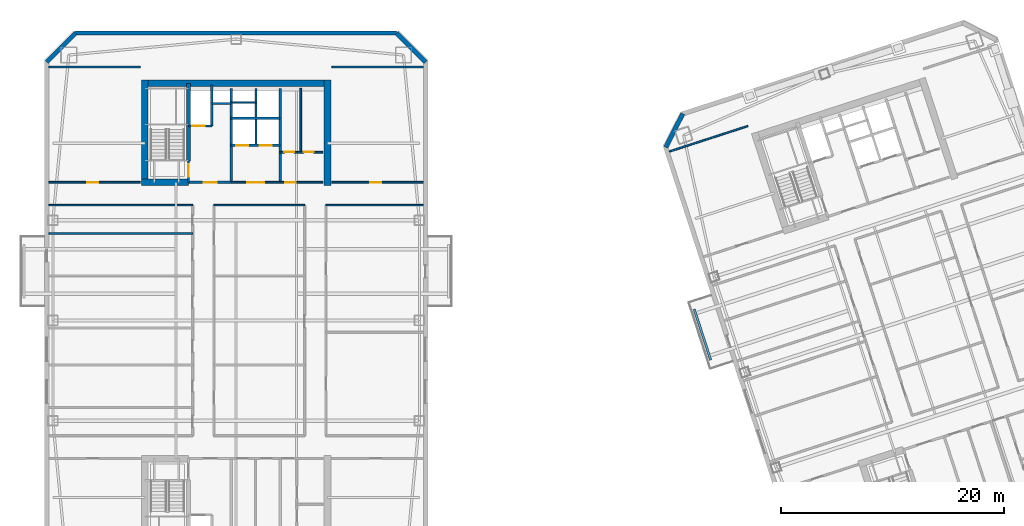
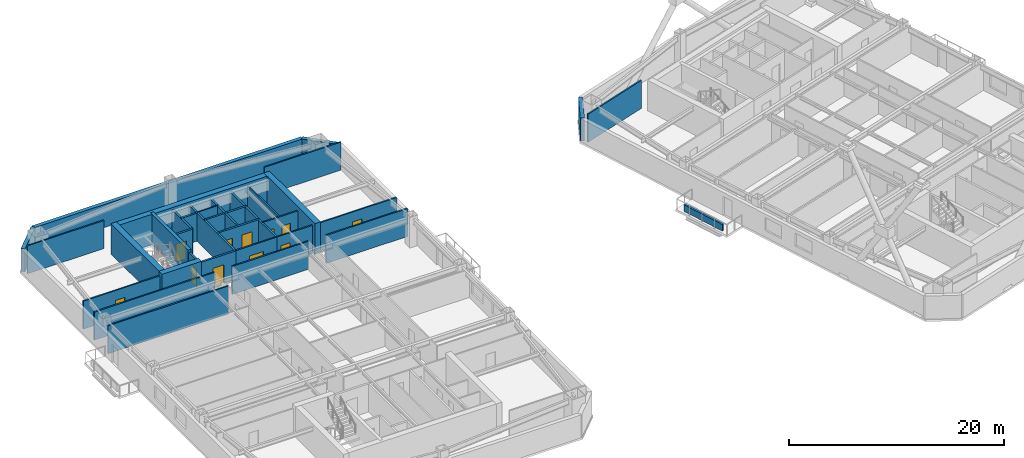
# One storey, part 8 of 17: 34 walls, 11 doors, 11 openings.
"""IFC4 building model written with IfcOpenShell, lengths in metres."""

from ifc_helpers import new_model, si_unit, direction, frame, frame_2d, origin, place, context, subcontext, project, spatial, rectangle, extrude, material, layer, layer_set, type_object, element, fill, save


model = new_model("IFC4")

# Units and contexts
model_context = context("Model", 3, precision=1e-05, world=origin(), true_north=direction((0.0, 1.0)))
body_context = subcontext(model_context, "Body", "Model", "MODEL_VIEW")
ifc_project = project(units=[si_unit("LENGTHUNIT", "METRE"), si_unit("AREAUNIT", "SQUARE_METRE"), si_unit("VOLUMEUNIT", "CUBIC_METRE"), si_unit("PLANEANGLEUNIT", "RADIAN"), si_unit("MASSUNIT", "GRAM", prefix="KILO")], contexts=[model_context])

# Site, building, storey
site_placement = place(None, origin())
site = spatial("IfcSite", under=ifc_project, at=site_placement, CompositionType="ELEMENT")
building_placement = place(site_placement, origin())
building = spatial("IfcBuilding", under=site, at=building_placement, Name="Qiaolan Cultural Towers", CompositionType="ELEMENT")
storey_placement = place(building_placement, frame((0.0, 0.0, 177.10009765625)))
storey = spatial("IfcBuildingStorey", under=building, at=storey_placement, Name="L47", CompositionType="ELEMENT", Elevation=177.10009765625)

# Walls
ifc_material_1 = material(Name="Concrete C50", Category="concrete")
ifc_layer_1 = layer(ifc_material_1, 0.35009765625)
ifc_layer_set_1 = layer_set([ifc_layer_1], Name="Concrete C50")
wall_type_1 = type_object("IfcWallType", Name="WL-CORE-350", PredefinedType="SHEAR", material=ifc_layer_set_1)
wall_1_placement = place(storey_placement, frame((25.719970703125, 48.300048828125, 0.0), z_axis=(0.0, 0.0, 1.0), x_axis=(0.0, 1.0, 0.0)))
element("IfcWall", 1, at=wall_1_placement, inside=storey, type_object=wall_type_1, Name="L47 T1-CN Stair Core Dividing Web", PredefinedType="SHEAR", context=body_context, shape_type="SweptSolid", body=[
    extrude(rectangle(XDim=6.97998046875, YDim=0.35009765625, at=frame_2d((3.489990234375, 0.0))), origin(), (0.0, 0.0, 1.0), 3.449951171875),
])
ifc_material_2 = material(Name="Concrete C55", Category="concrete")
ifc_layer_2 = layer(ifc_material_2, 0.60009765625)
ifc_layer_set_2 = layer_set([ifc_layer_2], Name="Concrete C55")
wall_type_2 = type_object("IfcWallType", Name="WL-CORE-600", PredefinedType="SHEAR", material=ifc_layer_set_2)
wall_2_placement = place(storey_placement, frame((21.5, 55.280029296875, 0.0), z_axis=(0.0, 0.0, 1.0), x_axis=(1.0, 0.0, 0.0)))
element("IfcWall", 2, at=wall_2_placement, inside=storey, type_object=wall_type_2, Name="L47 T1-CN Outer Core Shear Wall", PredefinedType="SHEAR", context=body_context, shape_type="SweptSolid", body=[
    extrude(rectangle(XDim=17.0, YDim=0.60009765625, at=frame_2d((8.5, 0.0))), origin(), (0.0, 0.0, 1.0), 3.449951171875),
])
for number, where, z_axis, x_axis, name in (
    (3, (21.800048828125, 46.10009765625, 0.0), (0.0, 0.0, 1.0), (0.0, 1.0, 0.0), "L47 T1-CN West Core Shear Wall"),
    (4, (38.199951171875, 46.10009765625, 0.0), (0.0, 0.0, 1.0), (0.0, 1.0, 0.0), "L47 T1-CN East Core Shear Wall"),
):
    element("IfcWall", number, at=place(storey_placement, frame(where, z_axis=z_axis, x_axis=x_axis)), inside=storey, type_object=wall_type_2, Name=name, PredefinedType="SHEAR", context=body_context, shape_type="SweptSolid", body=[
        extrude(rectangle(XDim=9.47998046875, YDim=0.60009765625, at=frame_2d((4.739990234375, 0.0))), origin(), (0.0, 0.0, 1.0), 3.449951171875),
    ])
wall_3_placement = place(storey_placement, frame((21.5, 46.39990234375, 0.0), z_axis=(0.0, 0.0, 1.0), x_axis=(1.0, 0.0, 0.0)))
element("IfcWall", 5, at=wall_3_placement, inside=storey, type_object=wall_type_2, Name="L47 T1-CN Stair Front Shear Wall", PredefinedType="SHEAR", context=body_context, shape_type="SweptSolid", body=[
    extrude(rectangle(XDim=4.219970703125, YDim=0.60009765625, at=frame_2d((2.10986328125, 0.0))), origin(), (0.0, 0.0, 1.0), 3.449951171875),
])
ifc_material_3 = material(Name="Precast Concrete C50 Honed Stone Pier", Category="masonry")
ifc_layer_3 = layer(ifc_material_3, 0.39990234375)
ifc_layer_set_3 = layer_set([ifc_layer_3], Name="Precast Concrete C50 Honed Stone Pier")
wall_type_3 = type_object("IfcWallType", Name="WL-EXT-PIER-400", PredefinedType="SOLIDWALL", material=ifc_layer_set_3)
wall_4_placement = place(storey_placement, frame((13.0, 57.199951171875, 0.0), z_axis=(0.0, 0.0, 1.0), x_axis=(0.707106781187, 0.707106781187, 0.0)))
element("IfcWall", 6, at=wall_4_placement, inside=storey, type_object=wall_type_3, Name="L47 West Tower Precast Pier Facade Wall F2", PredefinedType="SOLIDWALL", context=body_context, shape_type="SweptSolid", body=[
    extrude(rectangle(XDim=3.677001953125, YDim=0.39990234375, at=frame_2d((1.83837890625, 0.0))), origin(), (0.0, 0.0, 1.0), 2.60986328125),
])
wall_5_placement = place(storey_placement, frame((15.60009765625, 59.800048828125, 0.0), z_axis=(0.0, 0.0, 1.0), x_axis=(1.0, 0.0, 0.0)))
element("IfcWall", 7, at=wall_5_placement, inside=storey, type_object=wall_type_3, Name="L47 West Tower Precast Pier Facade Wall F3", PredefinedType="SOLIDWALL", context=body_context, shape_type="SweptSolid", body=[
    extrude(rectangle(XDim=28.7998046875, YDim=0.39990234375, at=frame_2d((14.39990234375, 0.0))), origin(), (0.0, 0.0, 1.0), 2.60986328125),
])
wall_6_placement = place(storey_placement, frame((44.39990234375, 59.800048828125, 0.0), z_axis=(0.0, 0.0, 1.0), x_axis=(0.707106781187, -0.707106781187, 0.0)))
element("IfcWall", 8, at=wall_6_placement, inside=storey, type_object=wall_type_3, Name="L47 West Tower Precast Pier Facade Wall F4", PredefinedType="SOLIDWALL", context=body_context, shape_type="SweptSolid", body=[
    extrude(rectangle(XDim=3.677001953125, YDim=0.39990234375, at=frame_2d((1.83837890625, 0.0))), origin(), (0.0, 0.0, 1.0), 2.60986328125),
])
wall_7_placement = place(storey_placement, frame((68.550537109375, 49.531982421875, 0.0), z_axis=(0.0, 0.0, 1.0), x_axis=(0.454019523198, 0.890991735402, 0.0)))
element("IfcWall", 9, at=wall_7_placement, inside=storey, type_object=wall_type_3, Name="L47 East Tower Precast Pier Facade Wall F2", PredefinedType="SOLIDWALL", context=body_context, shape_type="SweptSolid", body=[
    extrude(rectangle(XDim=3.39404296875, YDim=0.39990234375, at=frame_2d((1.697021484375, 0.0))), origin(), (0.0, 0.0, 1.0), 2.60986328125),
])

# Wall, opening, door
ifc_material_4 = material(Name="Concrete C35 Fire Wall", Category="concrete")
ifc_layer_4 = layer(ifc_material_4, 0.199951171875)
ifc_layer_set_4 = layer_set([ifc_layer_4], Name="Concrete C35 Fire Wall")
wall_type_4 = type_object("IfcWallType", Name="WL-FIRE-200", PredefinedType="PARTITIONING", material=ifc_layer_set_4)
wall_8_placement = place(storey_placement, frame((25.719970703125, 46.39990234375, 0.0), z_axis=(0.0, 0.0, 1.0), x_axis=(0.0, 1.0, 0.0)))
wall_8 = element("IfcWall", 10, at=wall_8_placement, inside=storey, type_object=wall_type_4, Name="L47 T1-CN Smokeproof Stair Entry Wall", PredefinedType="PARTITIONING", context=body_context, shape_type="SweptSolid", body=[
    extrude(rectangle(XDim=1.900146484375, YDim=0.199951171875, at=frame_2d((0.9501953125, 0.0))), origin(), (0.0, 0.0, 1.0), 3.1748046875),
])
opening_1_placement = place(wall_8_placement, frame((0.52001953125, 0.0, 0.0)))
opening_1 = element("IfcOpeningElement", 11, at=opening_1_placement, cuts=wall_8, Name="Opening FD-04", PredefinedType="OPENING", context=body_context, shape_type="SweptSolid", body=[
    extrude(rectangle(XDim=1.10009765625, YDim=2.050048828125, at=frame_2d((0.550048828125, 1.02490234375))), frame((0.0, 0.10986328125, 0.0), z_axis=(0.0, -1.0, 0.0), x_axis=(1.0, 0.0, 0.0)), (0.0, 0.0, 1.0), 0.219970703125),
])
ifc_material_5 = material(Name="Galvanized Steel Command Fire Door", Category="steel")
door_type_1 = type_object("IfcDoorType", Name="DR-FD90-1100", OperationType="NOTDEFINED", PredefinedType="DOOR", material=ifc_material_5)
door_1_placement = place(opening_1_placement, origin())
door_1 = element("IfcDoor", 12, at=door_1_placement, inside=storey, type_object=door_type_1, Name="L47 ST-W2 Smokeproof Stair Fire Door", OperationType="SINGLE_SWING_LEFT", OverallHeight=2.050048828125, OverallWidth=1.10009765625, PredefinedType="DOOR", context=body_context, shape_type="SweptSolid", body=[
    extrude(rectangle(XDim=1.10009765625, YDim=2.050048828125, at=frame_2d((0.550048828125, 1.02490234375))), frame((0.0, 0.02490234375, 0.0), z_axis=(0.0, -1.0, 0.0), x_axis=(1.0, 0.0, 0.0)), (0.0, 0.0, 1.0), 0.050048828125),
])
fill(opening_1, door_1)

# Wall
wall_9_placement = place(storey_placement, frame((29.550048828125, 46.39990234375, 0.0), z_axis=(0.0, 0.0, 1.0), x_axis=(0.0, 1.0, 0.0)))
element("IfcWall", 13, at=wall_9_placement, inside=storey, type_object=wall_type_4, Name="L47 T1-CN Firefighting Zone Wall", PredefinedType="PARTITIONING", context=body_context, shape_type="SweptSolid", body=[
    extrude(rectangle(XDim=8.43017578125, YDim=0.199951171875, at=frame_2d((4.215087890625, 0.0))), origin(), (0.0, 0.0, 1.0), 3.1748046875),
])

# Wall, opening, door
wall_10_placement = place(storey_placement, frame((25.719970703125, 46.39990234375, 0.0), z_axis=(0.0, 0.0, 1.0), x_axis=(1.0, 0.0, 0.0)))
wall_10 = element("IfcWall", 14, at=wall_10_placement, inside=storey, type_object=wall_type_4, Name="L47 T1-CN Firefighting Lobby Front Wall", PredefinedType="PARTITIONING", context=body_context, shape_type="SweptSolid", body=[
    extrude(rectangle(XDim=3.830078125, YDim=0.199951171875, at=frame_2d((1.9150390625, 0.0))), origin(), (0.0, 0.0, 1.0), 3.1748046875),
])
opening_2_placement = place(wall_10_placement, frame((1.35009765625, 0.0, 0.0)))
opening_2 = element("IfcOpeningElement", 15, at=opening_2_placement, cuts=wall_10, Name="Opening FD-03", PredefinedType="OPENING", context=body_context, shape_type="SweptSolid", body=[
    extrude(rectangle(XDim=1.199951171875, YDim=2.050048828125, at=frame_2d((0.60009765625, 1.02490234375))), frame((0.0, 0.10986328125, 0.0), z_axis=(0.0, -1.0, 0.0), x_axis=(1.0, 0.0, 0.0)), (0.0, 0.0, 1.0), 0.219970703125),
])
ifc_material_6 = material(Name="Galvanized Steel Smokeproof Lobby Fire Door", Category="steel")
door_type_2 = type_object("IfcDoorType", Name="DR-FD90-1200", OperationType="NOTDEFINED", PredefinedType="DOOR", material=ifc_material_6)
door_2_placement = place(opening_2_placement, origin())
door_2 = element("IfcDoor", 16, at=door_2_placement, inside=storey, type_object=door_type_2, Name="L47 FFL-W2 Firefighting Lobby Fire Door", OperationType="SINGLE_SWING_LEFT", OverallHeight=2.050048828125, OverallWidth=1.199951171875, PredefinedType="DOOR", context=body_context, shape_type="SweptSolid", body=[
    extrude(rectangle(XDim=1.199951171875, YDim=2.050048828125, at=frame_2d((0.60009765625, 1.02490234375))), frame((0.0, 0.02490234375, 0.0), z_axis=(0.0, -1.0, 0.0), x_axis=(1.0, 0.0, 0.0)), (0.0, 0.0, 1.0), 0.050048828125),
])
fill(opening_2, door_2)

wall_11_placement = place(storey_placement, frame((25.719970703125, 51.449951171875, 0.0), z_axis=(0.0, 0.0, 1.0), x_axis=(1.0, 0.0, 0.0)))
wall_11 = element("IfcWall", 17, at=wall_11_placement, inside=storey, type_object=wall_type_4, Name="L47 T1-CN Firefighting Shaft Front Wall", PredefinedType="PARTITIONING", context=body_context, shape_type="SweptSolid", body=[
    extrude(rectangle(XDim=2.10009765625, YDim=0.199951171875, at=frame_2d((1.050048828125, 0.0))), origin(), (0.0, 0.0, 1.0), 3.1748046875),
])
opening_3_placement = place(wall_11_placement, frame((0.35009765625, 0.0, 0.0)))
opening_3 = element("IfcOpeningElement", 18, at=opening_3_placement, cuts=wall_11, Name="Opening LD-01", PredefinedType="OPENING", context=body_context, shape_type="SweptSolid", body=[
    extrude(rectangle(XDim=1.10009765625, YDim=2.050048828125, at=frame_2d((0.550048828125, 1.02490234375))), frame((0.0, 0.10986328125, 0.0), z_axis=(0.0, -1.0, 0.0), x_axis=(1.0, 0.0, 0.0)), (0.0, 0.0, 1.0), 0.219970703125),
])
ifc_material_7 = material(Name="Brushed Stainless Steel S30408 Centre-Parting Lift Landing Door", Category="steel")
door_type_3 = type_object("IfcDoorType", Name="DR-LIFT-1100", OperationType="NOTDEFINED", PredefinedType="DOOR", material=ifc_material_7)
door_3_placement = place(opening_3_placement, origin())
door_3 = element("IfcDoor", 19, at=door_3_placement, inside=storey, type_object=door_type_3, Name="L47 FFL-W2 Firefighting Lift Landing Door", OperationType="DOUBLE_DOOR_SLIDING", OverallHeight=2.050048828125, OverallWidth=1.10009765625, PredefinedType="DOOR", context=body_context, shape_type="SweptSolid", body=[
    extrude(rectangle(XDim=1.10009765625, YDim=2.050048828125, at=frame_2d((0.550048828125, 1.02490234375))), frame((0.0, 0.02490234375, 0.0), z_axis=(0.0, -1.0, 0.0), x_axis=(1.0, 0.0, 0.0)), (0.0, 0.0, 1.0), 0.050048828125),
])
fill(opening_3, door_3)

# Walls
wall_12_placement = place(storey_placement, frame((27.820068359375, 51.449951171875, 0.0), z_axis=(0.0, 0.0, 1.0), x_axis=(0.0, 1.0, 0.0)))
element("IfcWall", 20, at=wall_12_placement, inside=storey, type_object=wall_type_4, Name="L47 T1-CN Firefighting Hoistway East Wall", PredefinedType="PARTITIONING", context=body_context, shape_type="SweptSolid", body=[
    extrude(rectangle(XDim=3.699951171875, YDim=0.199951171875, at=frame_2d((1.85009765625, 0.0))), origin(), (0.0, 0.0, 1.0), 3.1748046875),
])
wall_13_placement = place(storey_placement, frame((27.820068359375, 53.47998046875, 0.0), z_axis=(0.0, 0.0, 1.0), x_axis=(1.0, 0.0, 0.0)))
element("IfcWall", 21, at=wall_13_placement, inside=storey, type_object=wall_type_4, Name="L47 T1-CN Pressurization Shaft Front Wall", PredefinedType="PARTITIONING", context=body_context, shape_type="SweptSolid", body=[
    extrude(rectangle(XDim=1.72998046875, YDim=0.199951171875, at=frame_2d((0.864990234375, 0.0))), origin(), (0.0, 0.0, 1.0), 3.1748046875),
])
wall_14_placement = place(storey_placement, frame((33.949951171875, 46.39990234375, 0.0), z_axis=(0.0, 0.0, 1.0), x_axis=(0.0, 1.0, 0.0)))
element("IfcWall", 22, at=wall_14_placement, inside=storey, type_object=wall_type_4, Name="L47 T1-CN Lift Core East Wall", PredefinedType="PARTITIONING", context=body_context, shape_type="SweptSolid", body=[
    extrude(rectangle(XDim=8.43017578125, YDim=0.199951171875, at=frame_2d((4.215087890625, 0.0))), origin(), (0.0, 0.0, 1.0), 3.1748046875),
])

# Wall, openings, doors
wall_15_placement = place(storey_placement, frame((29.550048828125, 49.719970703125, 0.0), z_axis=(0.0, 0.0, 1.0), x_axis=(1.0, 0.0, 0.0)))
wall_15 = element("IfcWall", 23, at=wall_15_placement, inside=storey, type_object=wall_type_4, Name="L47 T1-CN Passenger Lift Shaft Front Wall", PredefinedType="PARTITIONING", context=body_context, shape_type="SweptSolid", body=[
    extrude(rectangle(XDim=4.39990234375, YDim=0.199951171875, at=frame_2d((2.199951171875, 0.0))), origin(), (0.0, 0.0, 1.0), 3.1748046875),
])
opening_4_placement = place(wall_15_placement, frame((0.449951171875, 0.0, 0.0)))
opening_4 = element("IfcOpeningElement", 24, at=opening_4_placement, cuts=wall_15, Name="Opening LD-01", PredefinedType="OPENING", context=body_context, shape_type="SweptSolid", body=[
    extrude(rectangle(XDim=1.10009765625, YDim=2.050048828125, at=frame_2d((0.550048828125, 1.02490234375))), frame((0.0, 0.10986328125, 0.0), z_axis=(0.0, -1.0, 0.0), x_axis=(1.0, 0.0, 0.0)), (0.0, 0.0, 1.0), 0.219970703125),
])
opening_5_placement = place(wall_15_placement, frame((2.550048828125, 0.0, 0.0)))
opening_5 = element("IfcOpeningElement", 25, at=opening_5_placement, cuts=wall_15, Name="Opening LD-01", PredefinedType="OPENING", context=body_context, shape_type="SweptSolid", body=[
    extrude(rectangle(XDim=1.10009765625, YDim=2.050048828125, at=frame_2d((0.550048828125, 1.02490234375))), frame((0.0, 0.10986328125, 0.0), z_axis=(0.0, -1.0, 0.0), x_axis=(1.0, 0.0, 0.0)), (0.0, 0.0, 1.0), 0.219970703125),
])
door_4_placement = place(opening_4_placement, origin())
door_4 = element("IfcDoor", 26, at=door_4_placement, inside=storey, type_object=door_type_3, Name="L47 Passenger Lift 1 Landing Door", OperationType="DOUBLE_DOOR_SLIDING", OverallHeight=2.050048828125, OverallWidth=1.10009765625, PredefinedType="DOOR", context=body_context, shape_type="SweptSolid", body=[
    extrude(rectangle(XDim=1.10009765625, YDim=2.050048828125, at=frame_2d((0.550048828125, 1.02490234375))), frame((0.0, 0.02490234375, 0.0), z_axis=(0.0, -1.0, 0.0), x_axis=(1.0, 0.0, 0.0)), (0.0, 0.0, 1.0), 0.050048828125),
])
fill(opening_4, door_4)
door_5_placement = place(opening_5_placement, origin())
door_5 = element("IfcDoor", 27, at=door_5_placement, inside=storey, type_object=door_type_3, Name="L47 Passenger Lift 2 Landing Door", OperationType="DOUBLE_DOOR_SLIDING", OverallHeight=2.050048828125, OverallWidth=1.10009765625, PredefinedType="DOOR", context=body_context, shape_type="SweptSolid", body=[
    extrude(rectangle(XDim=1.10009765625, YDim=2.050048828125, at=frame_2d((0.550048828125, 1.02490234375))), frame((0.0, 0.02490234375, 0.0), z_axis=(0.0, -1.0, 0.0), x_axis=(1.0, 0.0, 0.0)), (0.0, 0.0, 1.0), 0.050048828125),
])
fill(opening_5, door_5)

# Walls
wall_16_placement = place(storey_placement, frame((31.780029296875, 49.719970703125, 0.0), z_axis=(0.0, 0.0, 1.0), x_axis=(0.0, 1.0, 0.0)))
element("IfcWall", 28, at=wall_16_placement, inside=storey, type_object=wall_type_4, Name="L47 T1-CN Lift Shaft Divider Wall", PredefinedType="PARTITIONING", context=body_context, shape_type="SweptSolid", body=[
    extrude(rectangle(XDim=5.110107421875, YDim=0.199951171875, at=frame_2d((2.55517578125, 0.0))), origin(), (0.0, 0.0, 1.0), 3.1748046875),
])
wall_17_placement = place(storey_placement, frame((29.550048828125, 52.14990234375, 0.0), z_axis=(0.0, 0.0, 1.0), x_axis=(1.0, 0.0, 0.0)))
element("IfcWall", 29, at=wall_17_placement, inside=storey, type_object=wall_type_4, Name="L47 T1-CN Passenger Lift Shaft Back Wall", PredefinedType="PARTITIONING", context=body_context, shape_type="SweptSolid", body=[
    extrude(rectangle(XDim=4.39990234375, YDim=0.199951171875, at=frame_2d((2.199951171875, 0.0))), origin(), (0.0, 0.0, 1.0), 3.1748046875),
])

# Wall, opening, door
ifc_material_8 = material(Name="Autoclaved Aerated Concrete Block B06", Category="concrete")
ifc_layer_5 = layer(ifc_material_8, 0.14990234375)
ifc_layer_set_5 = layer_set([ifc_layer_5], Name="Autoclaved Aerated Concrete Block B06")
wall_type_5 = type_object("IfcWallType", Name="WL-PART-150", PredefinedType="PARTITIONING", material=ifc_layer_set_5)
wall_18_placement = place(storey_placement, frame((29.550048828125, 46.39990234375, 0.0), z_axis=(0.0, 0.0, 1.0), x_axis=(1.0, 0.0, 0.0)))
wall_18 = element("IfcWall", 30, at=wall_18_placement, inside=storey, type_object=wall_type_5, Name="L47 T1-CN Passenger Lift Lobby Front Wall", PredefinedType="PARTITIONING", context=body_context, shape_type="SweptSolid", body=[
    extrude(rectangle(XDim=4.39990234375, YDim=0.14990234375, at=frame_2d((2.199951171875, 0.0))), origin(), (0.0, 0.0, 1.0), 3.1748046875),
])
opening_6_placement = place(wall_18_placement, frame((1.449951171875, 0.0, 0.0)))
opening_6 = element("IfcOpeningElement", 31, at=opening_6_placement, cuts=wall_18, Name="Opening FD-05", PredefinedType="OPENING", context=body_context, shape_type="SweptSolid", body=[
    extrude(rectangle(XDim=1.5, YDim=2.050048828125, at=frame_2d((0.75, 1.02490234375))), frame((0.0, 0.0849609375, 0.0), z_axis=(0.0, -1.0, 0.0), x_axis=(1.0, 0.0, 0.0)), (0.0, 0.0, 1.0), 0.169921875),
])
ifc_material_9 = material(Name="Painted Steel Lift Lobby Fire Door", Category="steel")
door_type_4 = type_object("IfcDoorType", Name="DR-FD60-1500", OperationType="NOTDEFINED", PredefinedType="DOOR", material=ifc_material_9)
door_6_placement = place(opening_6_placement, origin())
door_6 = element("IfcDoor", 32, at=door_6_placement, inside=storey, type_object=door_type_4, Name="L47 Passenger Lift Lobby Entrance", OperationType="SINGLE_SWING_LEFT", OverallHeight=2.050048828125, OverallWidth=1.5, PredefinedType="DOOR", context=body_context, shape_type="SweptSolid", body=[
    extrude(rectangle(XDim=1.5, YDim=2.050048828125, at=frame_2d((0.75, 1.02490234375))), frame((0.0, 0.02490234375, 0.0), z_axis=(0.0, -1.0, 0.0), x_axis=(1.0, 0.0, 0.0)), (0.0, 0.0, 1.0), 0.050048828125),
])
fill(opening_6, door_6)

# Wall
wall_19_placement = place(storey_placement, frame((29.550048828125, 53.550048828125, 0.0), z_axis=(0.0, 0.0, 1.0), x_axis=(1.0, 0.0, 0.0)))
element("IfcWall", 33, at=wall_19_placement, inside=storey, type_object=wall_type_5, Name="L47 T1-CN Core Rear Riser Split", PredefinedType="PARTITIONING", context=body_context, shape_type="SweptSolid", body=[
    extrude(rectangle(XDim=2.22998046875, YDim=0.14990234375, at=frame_2d((1.114990234375, 0.0))), origin(), (0.0, 0.0, 1.0), 3.1748046875),
])

# Wall, opening, door
wall_20_placement = place(storey_placement, frame((33.949951171875, 46.39990234375, 0.0), z_axis=(0.0, 0.0, 1.0), x_axis=(1.0, 0.0, 0.0)))
wall_20 = element("IfcWall", 34, at=wall_20_placement, inside=storey, type_object=wall_type_5, Name="L47 T1-CN Sanitary Core Front Wall", PredefinedType="PARTITIONING", context=body_context, shape_type="SweptSolid", body=[
    extrude(rectangle(XDim=3.800048828125, YDim=0.14990234375, at=frame_2d((1.89990234375, 0.0))), origin(), (0.0, 0.0, 1.0), 3.1748046875),
])
opening_7_placement = place(wall_20_placement, frame((0.449951171875, 0.0, 0.0)))
opening_7 = element("IfcOpeningElement", 35, at=opening_7_placement, cuts=wall_20, Name="Opening ID-05", PredefinedType="OPENING", context=body_context, shape_type="SweptSolid", body=[
    extrude(rectangle(XDim=0.949951171875, YDim=2.050048828125, at=frame_2d((0.47509765625, 1.02490234375))), frame((0.0, 0.0849609375, 0.0), z_axis=(0.0, -1.0, 0.0), x_axis=(1.0, 0.0, 0.0)), (0.0, 0.0, 1.0), 0.169921875),
])
ifc_material_10 = material(Name="Fire-Rated Laminate Accessible Core Door", Category="timber")
door_type_5 = type_object("IfcDoorType", Name="DR-INT-950", OperationType="NOTDEFINED", PredefinedType="DOOR", material=ifc_material_10)
door_7_placement = place(opening_7_placement, origin())
door_7 = element("IfcDoor", 36, at=door_7_placement, inside=storey, type_object=door_type_5, Name="L47 Sanitary Vestibule Door", OperationType="SINGLE_SWING_LEFT", OverallHeight=2.050048828125, OverallWidth=0.949951171875, PredefinedType="DOOR", context=body_context, shape_type="SweptSolid", body=[
    extrude(rectangle(XDim=0.949951171875, YDim=2.050048828125, at=frame_2d((0.47509765625, 1.02490234375))), frame((0.0, 0.02490234375, 0.0), z_axis=(0.0, -1.0, 0.0), x_axis=(1.0, 0.0, 0.0)), (0.0, 0.0, 1.0), 0.050048828125),
])
fill(opening_7, door_7)

# Wall, openings, doors
wall_21_placement = place(storey_placement, frame((33.949951171875, 49.10009765625, 0.0), z_axis=(0.0, 0.0, 1.0), x_axis=(1.0, 0.0, 0.0)))
wall_21 = element("IfcWall", 37, at=wall_21_placement, inside=storey, type_object=wall_type_5, Name="L47 T1-CN Restroom Vestibule Wall", PredefinedType="PARTITIONING", context=body_context, shape_type="SweptSolid", body=[
    extrude(rectangle(XDim=3.800048828125, YDim=0.14990234375, at=frame_2d((1.89990234375, 0.0))), origin(), (0.0, 0.0, 1.0), 3.1748046875),
])
opening_8_placement = place(wall_21_placement, frame((0.35009765625, 0.0, 0.0)))
opening_8 = element("IfcOpeningElement", 38, at=opening_8_placement, cuts=wall_21, Name="Opening ID-06", PredefinedType="OPENING", context=body_context, shape_type="SweptSolid", body=[
    extrude(rectangle(XDim=0.89990234375, YDim=2.050048828125, at=frame_2d((0.449951171875, 1.02490234375))), frame((0.0, 0.0849609375, 0.0), z_axis=(0.0, -1.0, 0.0), x_axis=(1.0, 0.0, 0.0)), (0.0, 0.0, 1.0), 0.169921875),
])
opening_9_placement = place(wall_21_placement, frame((2.10009765625, 0.0, 0.0)))
opening_9 = element("IfcOpeningElement", 39, at=opening_9_placement, cuts=wall_21, Name="Opening ID-06", PredefinedType="OPENING", context=body_context, shape_type="SweptSolid", body=[
    extrude(rectangle(XDim=0.89990234375, YDim=2.050048828125, at=frame_2d((0.449951171875, 1.02490234375))), frame((0.0, 0.0849609375, 0.0), z_axis=(0.0, -1.0, 0.0), x_axis=(1.0, 0.0, 0.0)), (0.0, 0.0, 1.0), 0.169921875),
])
ifc_material_11 = material(Name="Fire-Rated Laminate Core Service Door", Category="timber")
door_type_6 = type_object("IfcDoorType", Name="DR-INT-900", OperationType="NOTDEFINED", PredefinedType="DOOR", material=ifc_material_11)
door_8_placement = place(opening_8_placement, origin())
door_8 = element("IfcDoor", 40, at=door_8_placement, inside=storey, type_object=door_type_6, Name="L47 Men Restroom Door", OperationType="SINGLE_SWING_LEFT", OverallHeight=2.050048828125, OverallWidth=0.89990234375, PredefinedType="DOOR", context=body_context, shape_type="SweptSolid", body=[
    extrude(rectangle(XDim=0.89990234375, YDim=2.050048828125, at=frame_2d((0.449951171875, 1.02490234375))), frame((0.0, 0.02490234375, 0.0), z_axis=(0.0, -1.0, 0.0), x_axis=(1.0, 0.0, 0.0)), (0.0, 0.0, 1.0), 0.050048828125),
])
fill(opening_8, door_8)
door_9_placement = place(opening_9_placement, origin())
door_9 = element("IfcDoor", 41, at=door_9_placement, inside=storey, type_object=door_type_6, Name="L47 Accessible & Women Restroom Door", OperationType="SINGLE_SWING_RIGHT", OverallHeight=2.050048828125, OverallWidth=0.89990234375, PredefinedType="DOOR", context=body_context, shape_type="SweptSolid", body=[
    extrude(rectangle(XDim=0.89990234375, YDim=2.050048828125, at=frame_2d((0.449951171875, 1.02490234375))), frame((0.0, 0.02490234375, 0.0), z_axis=(0.0, -1.0, 0.0), x_axis=(1.0, 0.0, 0.0)), (0.0, 0.0, 1.0), 0.050048828125),
])
fill(opening_9, door_9)

# Walls
wall_22_placement = place(storey_placement, frame((35.800048828125, 49.10009765625, 0.0), z_axis=(0.0, 0.0, 1.0), x_axis=(0.0, 1.0, 0.0)))
element("IfcWall", 42, at=wall_22_placement, inside=storey, type_object=wall_type_5, Name="L47 T1-CN Restroom Divider Wall", PredefinedType="PARTITIONING", context=body_context, shape_type="SweptSolid", body=[
    extrude(rectangle(XDim=5.72998046875, YDim=0.14990234375, at=frame_2d((2.864990234375, 0.0))), origin(), (0.0, 0.0, 1.0), 3.1748046875),
])
wall_23_placement = place(storey_placement, frame((13.199951171875, 56.75, 0.0), z_axis=(0.0, 0.0, 1.0), x_axis=(1.0, 0.0, 0.0)))
element("IfcWall", 43, at=wall_23_placement, inside=storey, type_object=wall_type_5, Name="L47 T1 Flank Wall FLK-NW", PredefinedType="PARTITIONING", context=body_context, shape_type="SweptSolid", body=[
    extrude(rectangle(XDim=8.199951171875, YDim=0.14990234375, at=frame_2d((4.10009765625, 0.0))), origin(), (0.0, 0.0, 1.0), 3.1748046875),
])

# Wall, opening, door
wall_24_placement = place(storey_placement, frame((13.199951171875, 46.39990234375, 0.0), z_axis=(0.0, 0.0, 1.0), x_axis=(1.0, 0.0, 0.0)))
wall_24 = element("IfcWall", 44, at=wall_24_placement, inside=storey, type_object=wall_type_5, Name="L47 T1 Flank Front FLK-NW", PredefinedType="PARTITIONING", context=body_context, shape_type="SweptSolid", body=[
    extrude(rectangle(XDim=8.199951171875, YDim=0.14990234375, at=frame_2d((4.10009765625, 0.0))), origin(), (0.0, 0.0, 1.0), 3.1748046875),
])
opening_10_placement = place(wall_24_placement, frame((3.444091796875, 0.0, 0.0)))
opening_10 = element("IfcOpeningElement", 45, at=opening_10_placement, cuts=wall_24, Name="Opening ID-04", PredefinedType="OPENING", context=body_context, shape_type="SweptSolid", body=[
    extrude(rectangle(XDim=1.0, YDim=2.050048828125, at=frame_2d((0.5, 1.02490234375))), frame((0.0, 0.0849609375, 0.0), z_axis=(0.0, -1.0, 0.0), x_axis=(1.0, 0.0, 0.0)), (0.0, 0.0, 1.0), 0.169921875),
])
ifc_material_12 = material(Name="Oak Veneer Acoustic Office Door", Category="timber")
door_type_7 = type_object("IfcDoorType", Name="DR-INT-1000", OperationType="NOTDEFINED", PredefinedType="DOOR", material=ifc_material_12)
door_10_placement = place(opening_10_placement, origin())
door_10 = element("IfcDoor", 46, at=door_10_placement, inside=storey, type_object=door_type_7, Name="L47 T1 Corner Studio Door", OperationType="SINGLE_SWING_LEFT", OverallHeight=2.050048828125, OverallWidth=1.0, PredefinedType="DOOR", context=body_context, shape_type="SweptSolid", body=[
    extrude(rectangle(XDim=1.0, YDim=2.050048828125, at=frame_2d((0.5, 1.02490234375))), frame((0.0, 0.02490234375, 0.0), z_axis=(0.0, -1.0, 0.0), x_axis=(1.0, 0.0, 0.0)), (0.0, 0.0, 1.0), 0.050048828125),
])
fill(opening_10, door_10)

# Wall
wall_25_placement = place(storey_placement, frame((38.60009765625, 56.75, 0.0), z_axis=(0.0, 0.0, 1.0), x_axis=(1.0, 0.0, 0.0)))
element("IfcWall", 47, at=wall_25_placement, inside=storey, type_object=wall_type_5, Name="L47 T1 Flank Wall FLK-NE", PredefinedType="PARTITIONING", context=body_context, shape_type="SweptSolid", body=[
    extrude(rectangle(XDim=8.199951171875, YDim=0.14990234375, at=frame_2d((4.10009765625, 0.0))), origin(), (0.0, 0.0, 1.0), 3.1748046875),
])

# Wall, opening, door
wall_26_placement = place(storey_placement, frame((38.60009765625, 46.39990234375, 0.0), z_axis=(0.0, 0.0, 1.0), x_axis=(1.0, 0.0, 0.0)))
wall_26 = element("IfcWall", 48, at=wall_26_placement, inside=storey, type_object=wall_type_5, Name="L47 T1 Flank Front FLK-NE", PredefinedType="PARTITIONING", context=body_context, shape_type="SweptSolid", body=[
    extrude(rectangle(XDim=8.199951171875, YDim=0.14990234375, at=frame_2d((4.10009765625, 0.0))), origin(), (0.0, 0.0, 1.0), 3.1748046875),
])
opening_11_placement = place(wall_26_placement, frame((3.444091796875, 0.0, 0.0)))
opening_11 = element("IfcOpeningElement", 49, at=opening_11_placement, cuts=wall_26, Name="Opening ID-04", PredefinedType="OPENING", context=body_context, shape_type="SweptSolid", body=[
    extrude(rectangle(XDim=1.0, YDim=2.050048828125, at=frame_2d((0.5, 1.02490234375))), frame((0.0, 0.0849609375, 0.0), z_axis=(0.0, -1.0, 0.0), x_axis=(1.0, 0.0, 0.0)), (0.0, 0.0, 1.0), 0.169921875),
])
door_11_placement = place(opening_11_placement, origin())
door_11 = element("IfcDoor", 50, at=door_11_placement, inside=storey, type_object=door_type_7, Name="L47 T1 Corner Studio Door", OperationType="SINGLE_SWING_LEFT", OverallHeight=2.050048828125, OverallWidth=1.0, PredefinedType="DOOR", context=body_context, shape_type="SweptSolid", body=[
    extrude(rectangle(XDim=1.0, YDim=2.050048828125, at=frame_2d((0.5, 1.02490234375))), frame((0.0, 0.02490234375, 0.0), z_axis=(0.0, -1.0, 0.0), x_axis=(1.0, 0.0, 0.0)), (0.0, 0.0, 1.0), 0.050048828125),
])
fill(opening_11, door_11)

# Walls
wall_27_placement = place(storey_placement, frame((13.199951171875, 44.35009765625, 0.0), z_axis=(0.0, 0.0, 1.0), x_axis=(1.0, 0.0, 0.0)))
element("IfcWall", 51, at=wall_27_placement, inside=storey, type_object=wall_type_5, Name="L47 T1 Interior Wall", PredefinedType="PARTITIONING", context=body_context, shape_type="SweptSolid", body=[
    extrude(rectangle(XDim=12.900146484375, YDim=0.14990234375, at=frame_2d((6.4501953125, 0.0))), origin(), (0.0, 0.0, 1.0), 3.1748046875),
])
wall_28_placement = place(storey_placement, frame((28.0, 44.35009765625, 0.0), z_axis=(0.0, 0.0, 1.0), x_axis=(1.0, 0.0, 0.0)))
element("IfcWall", 52, at=wall_28_placement, inside=storey, type_object=wall_type_5, Name="L47 T1 Interior Wall", PredefinedType="PARTITIONING", context=body_context, shape_type="SweptSolid", body=[
    extrude(rectangle(XDim=8.14990234375, YDim=0.14990234375, at=frame_2d((4.074951171875, 0.0))), origin(), (0.0, 0.0, 1.0), 3.1748046875),
])
wall_29_placement = place(storey_placement, frame((38.050048828125, 44.35009765625, 0.0), z_axis=(0.0, 0.0, 1.0), x_axis=(1.0, 0.0, 0.0)))
element("IfcWall", 53, at=wall_29_placement, inside=storey, type_object=wall_type_5, Name="L47 T1 Interior Wall", PredefinedType="PARTITIONING", context=body_context, shape_type="SweptSolid", body=[
    extrude(rectangle(XDim=8.75, YDim=0.14990234375, at=frame_2d((4.375, 0.0))), origin(), (0.0, 0.0, 1.0), 3.1748046875),
])
wall_30_placement = place(storey_placement, frame((13.199951171875, 41.800048828125, 0.0), z_axis=(0.0, 0.0, 1.0), x_axis=(1.0, 0.0, 0.0)))
element("IfcWall", 54, at=wall_30_placement, inside=storey, type_object=wall_type_5, Name="L47 T1 Interior Wall", PredefinedType="PARTITIONING", context=body_context, shape_type="SweptSolid", body=[
    extrude(rectangle(XDim=12.900146484375, YDim=0.14990234375, at=frame_2d((6.4501953125, 0.0))), origin(), (0.0, 0.0, 1.0), 3.1748046875),
])
wall_31_placement = place(storey_placement, frame((68.8798828125, 49.165771484375, 0.0), z_axis=(0.0, 0.0, 1.0), x_axis=(0.951060977215, 0.309003264738, 0.0)))
element("IfcWall", 55, at=wall_31_placement, inside=storey, type_object=wall_type_5, Name="L47 T2 Flank Wall FLK-NW", PredefinedType="PARTITIONING", context=body_context, shape_type="SweptSolid", body=[
    extrude(rectangle(XDim=7.39990234375, YDim=0.14990234375, at=frame_2d((3.699951171875, 0.0))), origin(), (0.0, 0.0, 1.0), 3.1748046875),
])
ifc_material_13 = material(Name="Precast Concrete C45 Tree Planter Upstand", Category="concrete")
ifc_layer_6 = layer(ifc_material_13, 0.199951171875)
ifc_layer_set_6 = layer_set([ifc_layer_6], Name="Precast Concrete C45 Tree Planter Upstand")
wall_type_6 = type_object("IfcWallType", Name="WL-PLANTER-200", PredefinedType="PARAPET", material=ifc_layer_set_6)
wall_32_placement = place(storey_placement, frame((72.595703125, 30.447998046875, 0.0), z_axis=(0.0, 0.0, 1.0), x_axis=(-0.30900096172, 0.951061725471, 0.0)))
element("IfcWall", 56, at=wall_32_placement, inside=storey, type_object=wall_type_6, Name="L47 T2 Tree Balcony Soil Planter Box W", PredefinedType="PARAPET", context=body_context, shape_type="SweptSolid", body=[
    extrude(rectangle(XDim=4.7998046875, YDim=0.199951171875, at=frame_2d((2.39990234375, 0.0))), origin(), (0.0, 0.0, 1.0), 0.75),
])

save(model, "model.ifc")
